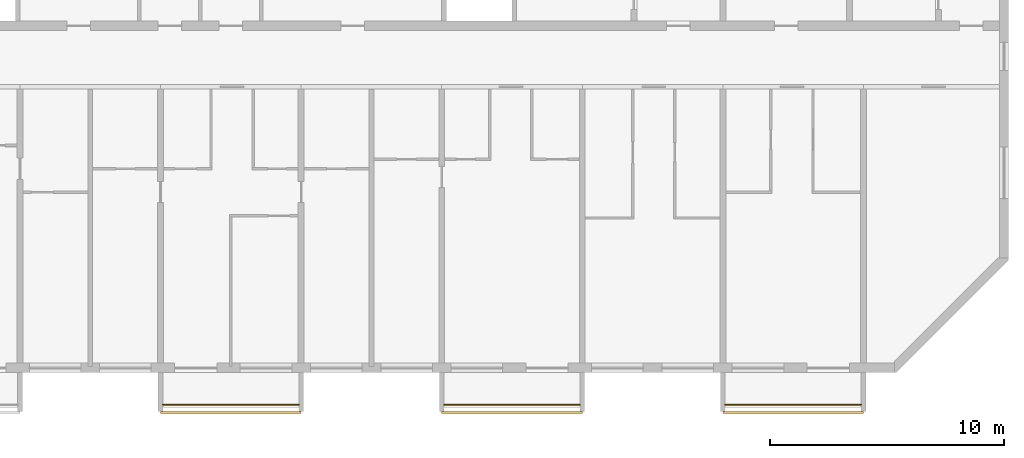
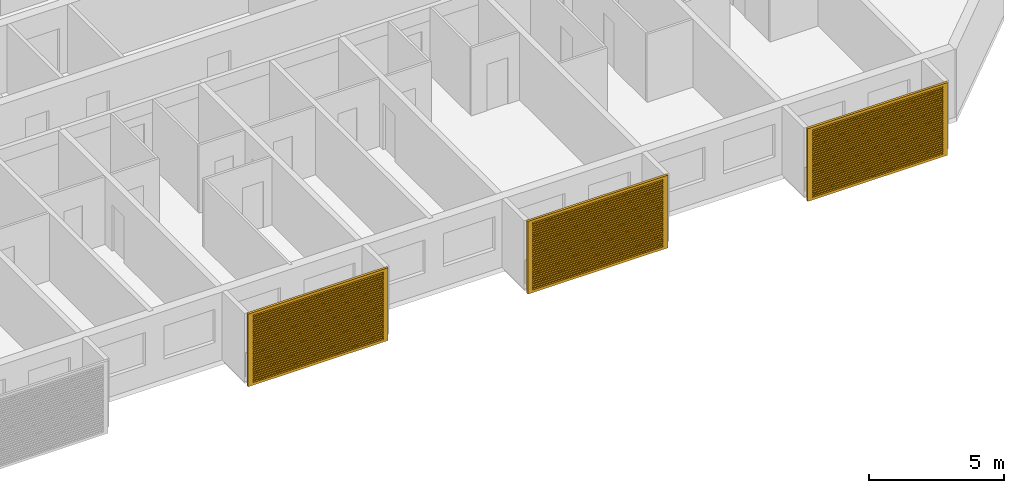
# One storey, part 13 of 26: 3 railings, 3 shading devices.
"""IFC4 building model written with IfcOpenShell, lengths in metres."""

from ifc_helpers import new_model, si_unit, direction, frame, origin, origin_2d, place, context, subcontext, project, spatial, polyline, circle, outline, extrude, source, transform, mapped, material, material_profile, profile_set, type_object, element, save


model = new_model("IFC4")

# Units and contexts
model_context = context("Model", 3, precision=1e-05, world=origin(), true_north=direction((0.0, 1.0)))
body_context = subcontext(model_context, "Body", "Model", "MODEL_VIEW")
ifc_project = project(units=[si_unit("LENGTHUNIT", "METRE"), si_unit("AREAUNIT", "SQUARE_METRE"), si_unit("VOLUMEUNIT", "CUBIC_METRE"), si_unit("PLANEANGLEUNIT", "RADIAN"), si_unit("MASSUNIT", "GRAM", prefix="KILO")], contexts=[model_context])

# Site, building, storey
site_placement = place(None, origin())
site = spatial("IfcSite", under=ifc_project, at=site_placement, CompositionType="ELEMENT")
building_placement = place(site_placement, origin())
building = spatial("IfcBuilding", under=site, at=building_placement, Name="Poui Terraces", CompositionType="ELEMENT")
storey_placement = place(building_placement, frame((0.0, 0.0, 171.89990234375)))
storey = spatial("IfcBuildingStorey", under=building, at=storey_placement, Name="L47", CompositionType="ELEMENT", Elevation=171.89990234375)

# Railings
ifc_material_1 = material(Name="Painted steel fretwork", Category="steel")
railing_type = type_object("IfcRailingType", Name="BALCONY GUARD 1100", PredefinedType="GUARDRAIL", material=ifc_material_1)
for number, where, name in (
    (1, (48.10009765625, -1.570068359375, 0.0), "BALCONY GUARD"),
    (2, (60.10009765625, -1.570068359375, 0.0), "BALCONY GUARD"),
    (3, (72.10009765625, -1.570068359375, 0.0), "BALCONY GUARD"),
):
    element("IfcRailing", number, at=place(storey_placement, frame(where)), inside=storey, type_object=railing_type, Name=name, PredefinedType="GUARDRAIL", context=body_context, shape_type="SweptSolid", body=[
        extrude(circle(Radius=0.02392578125, at=origin_2d()), frame((0.0, 0.0, 1.076171875), z_axis=(1.0, 0.0, 0.0), x_axis=(0.0, 1.0, 0.0)), (0.0, 0.0, 1.0), 5.7998046875),
        extrude(circle(Radius=0.02099609375, at=origin_2d()), origin(), (0.0, 0.0, 1.0), 1.052001953125),
        extrude(circle(Radius=0.02099609375, at=origin_2d()), frame((0.966552734375, 0.0, 0.0)), (0.0, 0.0, 1.0), 1.052001953125),
        extrude(circle(Radius=0.02099609375, at=origin_2d()), frame((1.933349609375, 0.0, 0.0)), (0.0, 0.0, 1.0), 1.052001953125),
        extrude(circle(Radius=0.02099609375, at=origin_2d()), frame((2.89990234375, 0.0, 0.0)), (0.0, 0.0, 1.0), 1.052001953125),
        extrude(circle(Radius=0.02099609375, at=origin_2d()), frame((3.866455078125, 0.0, 0.0)), (0.0, 0.0, 1.0), 1.052001953125),
        extrude(circle(Radius=0.02099609375, at=origin_2d()), frame((4.833251953125, 0.0, 0.0)), (0.0, 0.0, 1.0), 1.052001953125),
        extrude(circle(Radius=0.02099609375, at=origin_2d()), frame((5.7998046875, 0.0, 0.0)), (0.0, 0.0, 1.0), 1.052001953125),
    ])

# Shading devices
ifc_material_2 = material(Name="Aluminium louvre", Category="aluminium")
ifc_material_profile = material_profile(ifc_material_2, outline(polyline([(-3.0, -1.64990234375), (3.0, -1.64990234375), (3.0, 1.64990234375), (-3.0, 1.64990234375), (-3.0, -1.64990234375)]), holes=[polyline([(-2.800048828125, -1.530029296875), (2.800048828125, -1.530029296875), (2.800048828125, -1.469970703125), (-2.800048828125, -1.469970703125), (-2.800048828125, -1.530029296875)]), polyline([(-2.800048828125, -1.429931640625), (2.800048828125, -1.429931640625), (2.800048828125, -1.3701171875), (-2.800048828125, -1.3701171875), (-2.800048828125, -1.429931640625)]), polyline([(-2.800048828125, -1.330078125), (2.800048828125, -1.330078125), (2.800048828125, -1.27001953125), (-2.800048828125, -1.27001953125), (-2.800048828125, -1.330078125)]), polyline([(-2.800048828125, -1.22998046875), (2.800048828125, -1.22998046875), (2.800048828125, -1.169921875), (-2.800048828125, -1.169921875), (-2.800048828125, -1.22998046875)]), polyline([(-2.800048828125, -1.1298828125), (2.800048828125, -1.1298828125), (2.800048828125, -1.070068359375), (-2.800048828125, -1.070068359375), (-2.800048828125, -1.1298828125)]), polyline([(-2.800048828125, -1.030029296875), (2.800048828125, -1.030029296875), (2.800048828125, -0.969970703125), (-2.800048828125, -0.969970703125), (-2.800048828125, -1.030029296875)]), polyline([(-2.800048828125, -0.929931640625), (2.800048828125, -0.929931640625), (2.800048828125, -0.8701171875), (-2.800048828125, -0.8701171875), (-2.800048828125, -0.929931640625)]), polyline([(-2.800048828125, -0.830078125), (2.800048828125, -0.830078125), (2.800048828125, -0.77001953125), (-2.800048828125, -0.77001953125), (-2.800048828125, -0.830078125)]), polyline([(-2.800048828125, -0.72998046875), (2.800048828125, -0.72998046875), (2.800048828125, -0.669921875), (-2.800048828125, -0.669921875), (-2.800048828125, -0.72998046875)]), polyline([(-2.800048828125, -0.6298828125), (2.800048828125, -0.6298828125), (2.800048828125, -0.570068359375), (-2.800048828125, -0.570068359375), (-2.800048828125, -0.6298828125)]), polyline([(-2.800048828125, -0.530029296875), (2.800048828125, -0.530029296875), (2.800048828125, -0.469970703125), (-2.800048828125, -0.469970703125), (-2.800048828125, -0.530029296875)]), polyline([(-2.800048828125, -0.429931640625), (2.800048828125, -0.429931640625), (2.800048828125, -0.3701171875), (-2.800048828125, -0.3701171875), (-2.800048828125, -0.429931640625)]), polyline([(-2.800048828125, -0.330078125), (2.800048828125, -0.330078125), (2.800048828125, -0.27001953125), (-2.800048828125, -0.27001953125), (-2.800048828125, -0.330078125)]), polyline([(-2.800048828125, -0.22998046875), (2.800048828125, -0.22998046875), (2.800048828125, -0.169921875), (-2.800048828125, -0.169921875), (-2.800048828125, -0.22998046875)]), polyline([(-2.800048828125, -0.1298828125), (2.800048828125, -0.1298828125), (2.800048828125, -0.070068359375), (-2.800048828125, -0.070068359375), (-2.800048828125, -0.1298828125)]), polyline([(-2.800048828125, -0.030029296875), (2.800048828125, -0.030029296875), (2.800048828125, 0.030029296875), (-2.800048828125, 0.030029296875), (-2.800048828125, -0.030029296875)]), polyline([(-2.800048828125, 0.070068359375), (2.800048828125, 0.070068359375), (2.800048828125, 0.1298828125), (-2.800048828125, 0.1298828125), (-2.800048828125, 0.070068359375)]), polyline([(-2.800048828125, 0.169921875), (2.800048828125, 0.169921875), (2.800048828125, 0.22998046875), (-2.800048828125, 0.22998046875), (-2.800048828125, 0.169921875)]), polyline([(-2.800048828125, 0.27001953125), (2.800048828125, 0.27001953125), (2.800048828125, 0.330078125), (-2.800048828125, 0.330078125), (-2.800048828125, 0.27001953125)]), polyline([(-2.800048828125, 0.3701171875), (2.800048828125, 0.3701171875), (2.800048828125, 0.429931640625), (-2.800048828125, 0.429931640625), (-2.800048828125, 0.3701171875)]), polyline([(-2.800048828125, 0.469970703125), (2.800048828125, 0.469970703125), (2.800048828125, 0.530029296875), (-2.800048828125, 0.530029296875), (-2.800048828125, 0.469970703125)]), polyline([(-2.800048828125, 0.570068359375), (2.800048828125, 0.570068359375), (2.800048828125, 0.6298828125), (-2.800048828125, 0.6298828125), (-2.800048828125, 0.570068359375)]), polyline([(-2.800048828125, 0.669921875), (2.800048828125, 0.669921875), (2.800048828125, 0.72998046875), (-2.800048828125, 0.72998046875), (-2.800048828125, 0.669921875)]), polyline([(-2.800048828125, 0.77001953125), (2.800048828125, 0.77001953125), (2.800048828125, 0.830078125), (-2.800048828125, 0.830078125), (-2.800048828125, 0.77001953125)]), polyline([(-2.800048828125, 0.8701171875), (2.800048828125, 0.8701171875), (2.800048828125, 0.929931640625), (-2.800048828125, 0.929931640625), (-2.800048828125, 0.8701171875)]), polyline([(-2.800048828125, 0.969970703125), (2.800048828125, 0.969970703125), (2.800048828125, 1.030029296875), (-2.800048828125, 1.030029296875), (-2.800048828125, 0.969970703125)]), polyline([(-2.800048828125, 1.070068359375), (2.800048828125, 1.070068359375), (2.800048828125, 1.1298828125), (-2.800048828125, 1.1298828125), (-2.800048828125, 1.070068359375)]), polyline([(-2.800048828125, 1.169921875), (2.800048828125, 1.169921875), (2.800048828125, 1.22998046875), (-2.800048828125, 1.22998046875), (-2.800048828125, 1.169921875)]), polyline([(-2.800048828125, 1.27001953125), (2.800048828125, 1.27001953125), (2.800048828125, 1.330078125), (-2.800048828125, 1.330078125), (-2.800048828125, 1.27001953125)]), polyline([(-2.800048828125, 1.3701171875), (2.800048828125, 1.3701171875), (2.800048828125, 1.429931640625), (-2.800048828125, 1.429931640625), (-2.800048828125, 1.3701171875)]), polyline([(-2.800048828125, 1.469970703125), (2.800048828125, 1.469970703125), (2.800048828125, 1.530029296875), (-2.800048828125, 1.530029296875), (-2.800048828125, 1.469970703125)])]), Name="JALOUSIE LOUVRE SHUTTER 6000X3300")
ifc_profile_set = profile_set([ifc_material_profile], Name="Aluminium louvre")
shading_device_type = type_object("IfcShadingDeviceType", Name="JALOUSIE LOUVRE SHUTTER 6000X3300", PredefinedType="JALOUSIE", material=ifc_profile_set)
shared_shape = source(origin(), body_context, "Body", "SweptSolid", [
    extrude(outline(polyline([(-3.0, -1.64990234375), (3.0, -1.64990234375), (3.0, 1.64990234375), (-3.0, 1.64990234375), (-3.0, -1.64990234375)]), holes=[polyline([(-2.800048828125, -1.530029296875), (2.800048828125, -1.530029296875), (2.800048828125, -1.469970703125), (-2.800048828125, -1.469970703125), (-2.800048828125, -1.530029296875)]), polyline([(-2.800048828125, -1.429931640625), (2.800048828125, -1.429931640625), (2.800048828125, -1.3701171875), (-2.800048828125, -1.3701171875), (-2.800048828125, -1.429931640625)]), polyline([(-2.800048828125, -1.330078125), (2.800048828125, -1.330078125), (2.800048828125, -1.27001953125), (-2.800048828125, -1.27001953125), (-2.800048828125, -1.330078125)]), polyline([(-2.800048828125, -1.22998046875), (2.800048828125, -1.22998046875), (2.800048828125, -1.169921875), (-2.800048828125, -1.169921875), (-2.800048828125, -1.22998046875)]), polyline([(-2.800048828125, -1.1298828125), (2.800048828125, -1.1298828125), (2.800048828125, -1.070068359375), (-2.800048828125, -1.070068359375), (-2.800048828125, -1.1298828125)]), polyline([(-2.800048828125, -1.030029296875), (2.800048828125, -1.030029296875), (2.800048828125, -0.969970703125), (-2.800048828125, -0.969970703125), (-2.800048828125, -1.030029296875)]), polyline([(-2.800048828125, -0.929931640625), (2.800048828125, -0.929931640625), (2.800048828125, -0.8701171875), (-2.800048828125, -0.8701171875), (-2.800048828125, -0.929931640625)]), polyline([(-2.800048828125, -0.830078125), (2.800048828125, -0.830078125), (2.800048828125, -0.77001953125), (-2.800048828125, -0.77001953125), (-2.800048828125, -0.830078125)]), polyline([(-2.800048828125, -0.72998046875), (2.800048828125, -0.72998046875), (2.800048828125, -0.669921875), (-2.800048828125, -0.669921875), (-2.800048828125, -0.72998046875)]), polyline([(-2.800048828125, -0.6298828125), (2.800048828125, -0.6298828125), (2.800048828125, -0.570068359375), (-2.800048828125, -0.570068359375), (-2.800048828125, -0.6298828125)]), polyline([(-2.800048828125, -0.530029296875), (2.800048828125, -0.530029296875), (2.800048828125, -0.469970703125), (-2.800048828125, -0.469970703125), (-2.800048828125, -0.530029296875)]), polyline([(-2.800048828125, -0.429931640625), (2.800048828125, -0.429931640625), (2.800048828125, -0.3701171875), (-2.800048828125, -0.3701171875), (-2.800048828125, -0.429931640625)]), polyline([(-2.800048828125, -0.330078125), (2.800048828125, -0.330078125), (2.800048828125, -0.27001953125), (-2.800048828125, -0.27001953125), (-2.800048828125, -0.330078125)]), polyline([(-2.800048828125, -0.22998046875), (2.800048828125, -0.22998046875), (2.800048828125, -0.169921875), (-2.800048828125, -0.169921875), (-2.800048828125, -0.22998046875)]), polyline([(-2.800048828125, -0.1298828125), (2.800048828125, -0.1298828125), (2.800048828125, -0.070068359375), (-2.800048828125, -0.070068359375), (-2.800048828125, -0.1298828125)]), polyline([(-2.800048828125, -0.030029296875), (2.800048828125, -0.030029296875), (2.800048828125, 0.030029296875), (-2.800048828125, 0.030029296875), (-2.800048828125, -0.030029296875)]), polyline([(-2.800048828125, 0.070068359375), (2.800048828125, 0.070068359375), (2.800048828125, 0.1298828125), (-2.800048828125, 0.1298828125), (-2.800048828125, 0.070068359375)]), polyline([(-2.800048828125, 0.169921875), (2.800048828125, 0.169921875), (2.800048828125, 0.22998046875), (-2.800048828125, 0.22998046875), (-2.800048828125, 0.169921875)]), polyline([(-2.800048828125, 0.27001953125), (2.800048828125, 0.27001953125), (2.800048828125, 0.330078125), (-2.800048828125, 0.330078125), (-2.800048828125, 0.27001953125)]), polyline([(-2.800048828125, 0.3701171875), (2.800048828125, 0.3701171875), (2.800048828125, 0.429931640625), (-2.800048828125, 0.429931640625), (-2.800048828125, 0.3701171875)]), polyline([(-2.800048828125, 0.469970703125), (2.800048828125, 0.469970703125), (2.800048828125, 0.530029296875), (-2.800048828125, 0.530029296875), (-2.800048828125, 0.469970703125)]), polyline([(-2.800048828125, 0.570068359375), (2.800048828125, 0.570068359375), (2.800048828125, 0.6298828125), (-2.800048828125, 0.6298828125), (-2.800048828125, 0.570068359375)]), polyline([(-2.800048828125, 0.669921875), (2.800048828125, 0.669921875), (2.800048828125, 0.72998046875), (-2.800048828125, 0.72998046875), (-2.800048828125, 0.669921875)]), polyline([(-2.800048828125, 0.77001953125), (2.800048828125, 0.77001953125), (2.800048828125, 0.830078125), (-2.800048828125, 0.830078125), (-2.800048828125, 0.77001953125)]), polyline([(-2.800048828125, 0.8701171875), (2.800048828125, 0.8701171875), (2.800048828125, 0.929931640625), (-2.800048828125, 0.929931640625), (-2.800048828125, 0.8701171875)]), polyline([(-2.800048828125, 0.969970703125), (2.800048828125, 0.969970703125), (2.800048828125, 1.030029296875), (-2.800048828125, 1.030029296875), (-2.800048828125, 0.969970703125)]), polyline([(-2.800048828125, 1.070068359375), (2.800048828125, 1.070068359375), (2.800048828125, 1.1298828125), (-2.800048828125, 1.1298828125), (-2.800048828125, 1.070068359375)]), polyline([(-2.800048828125, 1.169921875), (2.800048828125, 1.169921875), (2.800048828125, 1.22998046875), (-2.800048828125, 1.22998046875), (-2.800048828125, 1.169921875)]), polyline([(-2.800048828125, 1.27001953125), (2.800048828125, 1.27001953125), (2.800048828125, 1.330078125), (-2.800048828125, 1.330078125), (-2.800048828125, 1.27001953125)]), polyline([(-2.800048828125, 1.3701171875), (2.800048828125, 1.3701171875), (2.800048828125, 1.429931640625), (-2.800048828125, 1.429931640625), (-2.800048828125, 1.3701171875)]), polyline([(-2.800048828125, 1.469970703125), (2.800048828125, 1.469970703125), (2.800048828125, 1.530029296875), (-2.800048828125, 1.530029296875), (-2.800048828125, 1.469970703125)])]), origin(), (0.0, 0.0, 1.0), 0.099853515625),
])
for number, where, z_axis, x_axis, name in (
    (4, (51.0, -1.85009765625, 1.4501953125), (0.0, -1.0, 0.0), (1.0, 0.0, 0.0), "JALOUSIE LOUVRE SHUTTER"),
    (5, (63.0, -1.85009765625, 1.4501953125), (0.0, -1.0, 0.0), (1.0, 0.0, 0.0), "JALOUSIE LOUVRE SHUTTER"),
    (6, (75.0, -1.85009765625, 1.4501953125), (0.0, -1.0, 0.0), (1.0, 0.0, 0.0), "JALOUSIE LOUVRE SHUTTER"),
):
    element("IfcShadingDevice", number, at=place(storey_placement, frame(where, z_axis=z_axis, x_axis=x_axis)), inside=storey, type_object=shading_device_type, Name=name, PredefinedType="JALOUSIE", context=body_context, shape_type="MappedRepresentation", body=[
        mapped(shared_shape, transform((0.0, 0.0, 0.0))),
    ])

save(model, "model.ifc")
